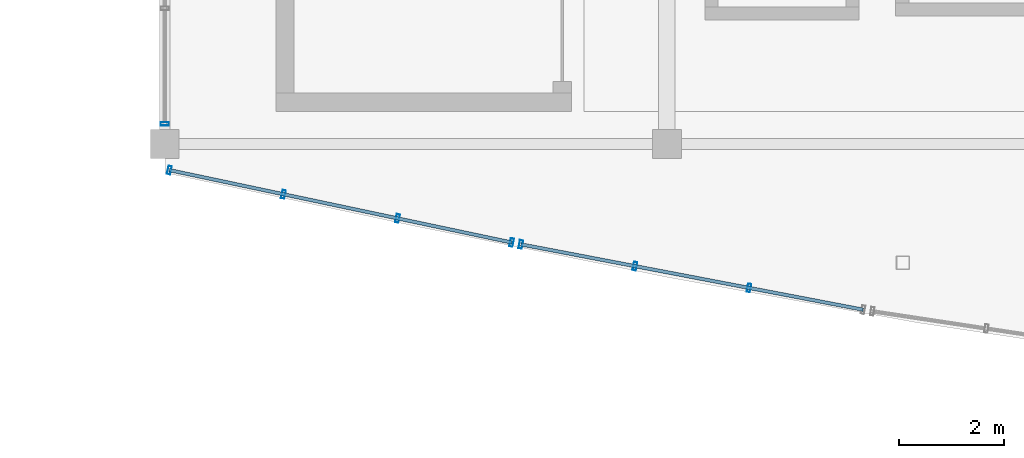
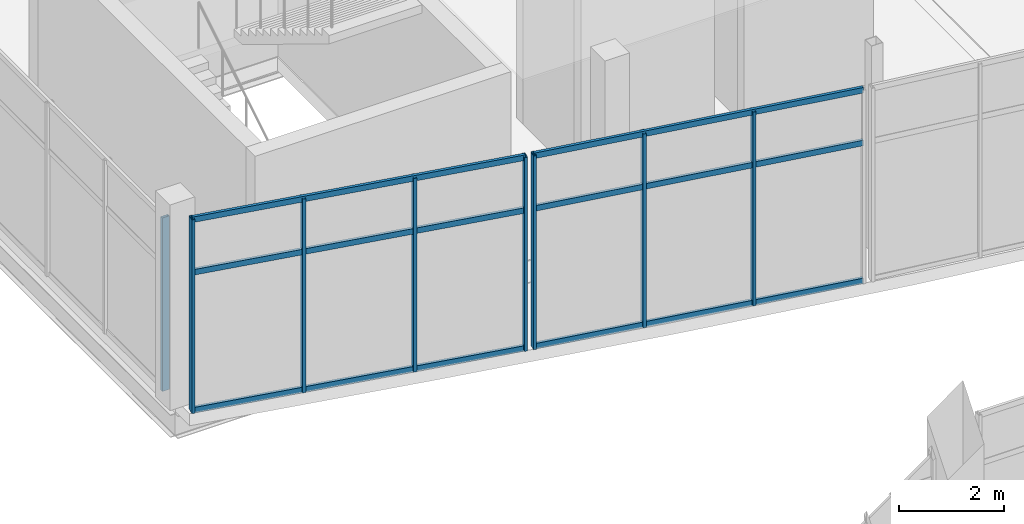
# One storey, part 68 of 157: 14 members, 3 elements without a shape of their own.
"""IFC4 building model written with IfcOpenShell, lengths in metres."""

from ifc_helpers import new_model, si_unit, direction, frame, origin, origin_2d, place, context, subcontext, project, spatial, hollow_rectangle, extrude, material, layer, layer_set, material_profile, profile_set, type_object, element, aggregate, save


model = new_model("IFC4")

# Units and contexts
model_context = context("Model", 3, precision=1e-05, world=origin(), true_north=direction((0.0, 1.0)))
body_context = subcontext(model_context, "Body", "Model", "MODEL_VIEW")
ifc_project = project(units=[si_unit("LENGTHUNIT", "METRE"), si_unit("AREAUNIT", "SQUARE_METRE"), si_unit("VOLUMEUNIT", "CUBIC_METRE"), si_unit("PLANEANGLEUNIT", "RADIAN"), si_unit("MASSUNIT", "GRAM", prefix="KILO")], contexts=[model_context])

# Site, building, storey
site_placement = place(None, origin())
site = spatial("IfcSite", under=ifc_project, at=site_placement, CompositionType="ELEMENT")
building_placement = place(site_placement, origin())
building = spatial("IfcBuilding", under=site, at=building_placement, Name="Chalmorin Arch Market", CompositionType="ELEMENT")
storey_placement = place(building_placement, frame((0.0, 0.0, 4.800048828125)))
storey = spatial("IfcBuildingStorey", under=building, at=storey_placement, Name="L01", CompositionType="ELEMENT", Elevation=4.800048828125)

# Curtain wall, member
ifc_material = material(Name="Aluminium 6063-T6", Category="aluminium")
ifc_layer_1 = layer(ifc_material, 0.159912109375)
ifc_layer_set_1 = layer_set([ifc_layer_1], Name="Aluminium 6063-T6")
curtain_wall_type_1 = type_object("IfcCurtainWallType", Name="CulinaryStudioCurtainWall-CW3-8830x4050", PredefinedType="NOTDEFINED", material=ifc_layer_set_1)
curtain_wall_1_placement = place(storey_placement, origin())
curtain_wall_1 = element("IfcCurtainWall", 1, at=curtain_wall_1_placement, inside=storey, type_object=curtain_wall_type_1, Name="CW-03-107", PredefinedType="NOTDEFINED")
ifc_material_profile_1 = material_profile(ifc_material, hollow_rectangle(XDim=0.06494140625, YDim=0.159912109375, WallThickness=0.00390625, at=origin_2d()), Name="ALU65X160X4")
ifc_profile_set_1 = profile_set([ifc_material_profile_1], Name="Aluminium 6063-T6")
member_type_1 = type_object("IfcMemberType", Name="CurtainWallMullion-65x160", PredefinedType="MULLION", material=ifc_profile_set_1)
member_1_placement = place(storey_placement, frame((48.0, 72.385009765625, 0.0), z_axis=(0.0, 0.0, 1.0), x_axis=(0.0, 1.0, 0.0)))
member_1 = element("IfcMember", 2, at=member_1_placement, type_object=member_type_1, Name="ML-107-01", PredefinedType="MULLION", context=body_context, shape_type="SweptSolid", body=[
    extrude(hollow_rectangle(XDim=0.06494140625, YDim=0.159912109375, WallThickness=0.00390625, at=origin_2d()), origin(), (0.0, 0.0, 1.0), 4.0458984375),
])
aggregate(curtain_wall_1, [member_1])

# Curtain wall, members
ifc_layer_2 = layer(ifc_material, 0.159912109375)
ifc_layer_set_2 = layer_set([ifc_layer_2], Name="Aluminium 6063-T6")
curtain_wall_type_2 = type_object("IfcCurtainWallType", Name="CulinaryStudioCurtainWall-CW3-6690x4520", PredefinedType="NOTDEFINED", material=ifc_layer_set_2)
curtain_wall_2_placement = place(storey_placement, origin())
curtain_wall_2 = element("IfcCurtainWall", 3, at=curtain_wall_2_placement, inside=storey, type_object=curtain_wall_type_2, Name="CW-03-150", PredefinedType="NOTDEFINED")
member_2_placement = place(storey_placement, frame((48.088134765625, 71.50146484375, 0.0), z_axis=(0.0, 0.0, 1.0), x_axis=(0.978147600734, -0.207911690818, 0.0)))
member_2 = element("IfcMember", 4, at=member_2_placement, type_object=member_type_1, Name="ML-150-01", PredefinedType="MULLION", context=body_context, shape_type="SweptSolid", body=[
    extrude(hollow_rectangle(XDim=0.06494140625, YDim=0.159912109375, WallThickness=0.00390625, at=origin_2d()), origin(), (0.0, 0.0, 1.0), 4.52001953125),
])
member_3_placement = place(storey_placement, frame((50.269287109375, 71.0400390625, 0.0), z_axis=(0.0, 0.0, 1.0), x_axis=(0.978147600734, -0.207911690818, 0.0)))
member_3 = element("IfcMember", 5, at=member_3_placement, type_object=member_type_1, Name="ML-150-02", PredefinedType="MULLION", context=body_context, shape_type="SweptSolid", body=[
    extrude(hollow_rectangle(XDim=0.06494140625, YDim=0.159912109375, WallThickness=0.00390625, at=origin_2d()), origin(), (0.0, 0.0, 1.0), 4.52001953125),
])
member_4_placement = place(storey_placement, frame((52.45068359375, 70.578857421875, 0.0), z_axis=(0.0, 0.0, 1.0), x_axis=(0.978147600734, -0.207911690818, 0.0)))
member_4 = element("IfcMember", 6, at=member_4_placement, type_object=member_type_1, Name="ML-150-03", PredefinedType="MULLION", context=body_context, shape_type="SweptSolid", body=[
    extrude(hollow_rectangle(XDim=0.06494140625, YDim=0.159912109375, WallThickness=0.00390625, at=origin_2d()), origin(), (0.0, 0.0, 1.0), 4.52001953125),
])
member_5_placement = place(storey_placement, frame((54.6318359375, 70.11767578125, 0.0), z_axis=(0.0, 0.0, 1.0), x_axis=(0.978147600734, -0.207911690818, 0.0)))
member_5 = element("IfcMember", 7, at=member_5_placement, type_object=member_type_1, Name="ML-150-04", PredefinedType="MULLION", context=body_context, shape_type="SweptSolid", body=[
    extrude(hollow_rectangle(XDim=0.06494140625, YDim=0.159912109375, WallThickness=0.00390625, at=origin_2d()), origin(), (0.0, 0.0, 1.0), 4.52001953125),
])

ifc_layer_3 = layer(ifc_material, 0.159912109375)
ifc_layer_set_3 = layer_set([ifc_layer_3], Name="Aluminium 6063-T6")
curtain_wall_type_3 = type_object("IfcCurtainWallType", Name="CulinaryStudioCurtainWall-CW3-6660x4520", PredefinedType="NOTDEFINED", material=ifc_layer_set_3)
curtain_wall_3_placement = place(storey_placement, origin())
curtain_wall_3 = element("IfcCurtainWall", 8, at=curtain_wall_3_placement, inside=storey, type_object=curtain_wall_type_3, Name="CW-03-153", PredefinedType="NOTDEFINED")
member_6_placement = place(storey_placement, frame((54.808349609375, 70.08203125, 0.0), z_axis=(0.0, 0.0, 1.0), x_axis=(0.981627183448, -0.190808995377, 0.0)))
member_6 = element("IfcMember", 9, at=member_6_placement, type_object=member_type_1, Name="ML-153-01", PredefinedType="MULLION", context=body_context, shape_type="SweptSolid", body=[
    extrude(hollow_rectangle(XDim=0.06494140625, YDim=0.159912109375, WallThickness=0.00390625, at=origin_2d()), origin(), (0.0, 0.0, 1.0), 4.52001953125),
])
member_7_placement = place(storey_placement, frame((56.989501953125, 69.665771484375, 0.0), z_axis=(0.0, 0.0, 1.0), x_axis=(0.981627183448, -0.190808995377, 0.0)))
member_7 = element("IfcMember", 10, at=member_7_placement, type_object=member_type_1, Name="ML-153-02", PredefinedType="MULLION", context=body_context, shape_type="SweptSolid", body=[
    extrude(hollow_rectangle(XDim=0.06494140625, YDim=0.159912109375, WallThickness=0.00390625, at=origin_2d()), origin(), (0.0, 0.0, 1.0), 4.52001953125),
])
member_8_placement = place(storey_placement, frame((59.17041015625, 69.249267578125, 0.0), z_axis=(0.0, 0.0, 1.0), x_axis=(0.981627183448, -0.190808995377, 0.0)))
member_8 = element("IfcMember", 11, at=member_8_placement, type_object=member_type_1, Name="ML-153-03", PredefinedType="MULLION", context=body_context, shape_type="SweptSolid", body=[
    extrude(hollow_rectangle(XDim=0.06494140625, YDim=0.159912109375, WallThickness=0.00390625, at=origin_2d()), origin(), (0.0, 0.0, 1.0), 4.52001953125),
])

# Member
ifc_material_profile_2 = material_profile(ifc_material, hollow_rectangle(XDim=0.06494140625, YDim=0.1298828125, WallThickness=0.00390625, at=origin_2d()), Name="ALU65X130X4")
ifc_profile_set_2 = profile_set([ifc_material_profile_2], Name="Aluminium 6063-T6")
member_type_2 = type_object("IfcMemberType", Name="CurtainWallTransom-65x130", PredefinedType="USERDEFINED", material=ifc_profile_set_2)
member_9_placement = place(storey_placement, frame((48.088134765625, 71.50146484375, 0.034912109375), z_axis=(0.978363487727, -0.206893416723, 0.0), x_axis=(0.206893416723, 0.978363487727, 0.0)))
member_9 = element("IfcMember", 12, at=member_9_placement, type_object=member_type_2, Name="TR-150-01", ObjectType="TRANSOM", PredefinedType="USERDEFINED", context=body_context, shape_type="SweptSolid", body=[
    extrude(hollow_rectangle(XDim=0.06494140625, YDim=0.1298828125, WallThickness=0.00390625, at=origin_2d()), origin(), (0.0, 0.0, 1.0), 6.6884765625),
])

member_10_placement = place(storey_placement, frame((48.088134765625, 71.50146484375, 3.25439453125), z_axis=(0.978363487727, -0.206893416723, 0.0), x_axis=(0.206893416723, 0.978363487727, 0.0)))
member_10 = element("IfcMember", 13, at=member_10_placement, type_object=member_type_2, Name="TR-150-02", ObjectType="TRANSOM", PredefinedType="USERDEFINED", context=body_context, shape_type="SweptSolid", body=[
    extrude(hollow_rectangle(XDim=0.06494140625, YDim=0.1298828125, WallThickness=0.00390625, at=origin_2d()), origin(), (0.0, 0.0, 1.0), 6.6884765625),
])

member_11_placement = place(storey_placement, frame((48.088134765625, 71.50146484375, 4.48486328125), z_axis=(0.978363487727, -0.206893416723, 0.0), x_axis=(0.206893416723, 0.978363487727, 0.0)))
member_11 = element("IfcMember", 14, at=member_11_placement, type_object=member_type_2, Name="TR-150-03", ObjectType="TRANSOM", PredefinedType="USERDEFINED", context=body_context, shape_type="SweptSolid", body=[
    extrude(hollow_rectangle(XDim=0.06494140625, YDim=0.1298828125, WallThickness=0.00390625, at=origin_2d()), origin(), (0.0, 0.0, 1.0), 6.6884765625),
])

aggregate(curtain_wall_2, [member_2, member_3, member_4, member_5, member_9, member_10, member_11])

member_12_placement = place(storey_placement, frame((54.808349609375, 70.08203125, 0.034912109375), z_axis=(0.982264065399, -0.187502815514, 0.0), x_axis=(0.187502815514, 0.982264065399, 0.0)))
member_12 = element("IfcMember", 15, at=member_12_placement, type_object=member_type_2, Name="TR-153-01", ObjectType="TRANSOM", PredefinedType="USERDEFINED", context=body_context, shape_type="SweptSolid", body=[
    extrude(hollow_rectangle(XDim=0.06494140625, YDim=0.1298828125, WallThickness=0.00390625, at=origin_2d()), origin(), (0.0, 0.0, 1.0), 6.661376953125),
])

member_13_placement = place(storey_placement, frame((54.808349609375, 70.08203125, 3.25439453125), z_axis=(0.982264065399, -0.187502815514, 0.0), x_axis=(0.187502815514, 0.982264065399, 0.0)))
member_13 = element("IfcMember", 16, at=member_13_placement, type_object=member_type_2, Name="TR-153-02", ObjectType="TRANSOM", PredefinedType="USERDEFINED", context=body_context, shape_type="SweptSolid", body=[
    extrude(hollow_rectangle(XDim=0.06494140625, YDim=0.1298828125, WallThickness=0.00390625, at=origin_2d()), origin(), (0.0, 0.0, 1.0), 6.661376953125),
])

member_14_placement = place(storey_placement, frame((54.808349609375, 70.08203125, 4.48486328125), z_axis=(0.982264065399, -0.187502815514, 0.0), x_axis=(0.187502815514, 0.982264065399, 0.0)))
member_14 = element("IfcMember", 17, at=member_14_placement, type_object=member_type_2, Name="TR-153-03", ObjectType="TRANSOM", PredefinedType="USERDEFINED", context=body_context, shape_type="SweptSolid", body=[
    extrude(hollow_rectangle(XDim=0.06494140625, YDim=0.1298828125, WallThickness=0.00390625, at=origin_2d()), origin(), (0.0, 0.0, 1.0), 6.661376953125),
])

aggregate(curtain_wall_3, [member_6, member_7, member_8, member_12, member_13, member_14])

save(model, "model.ifc")
